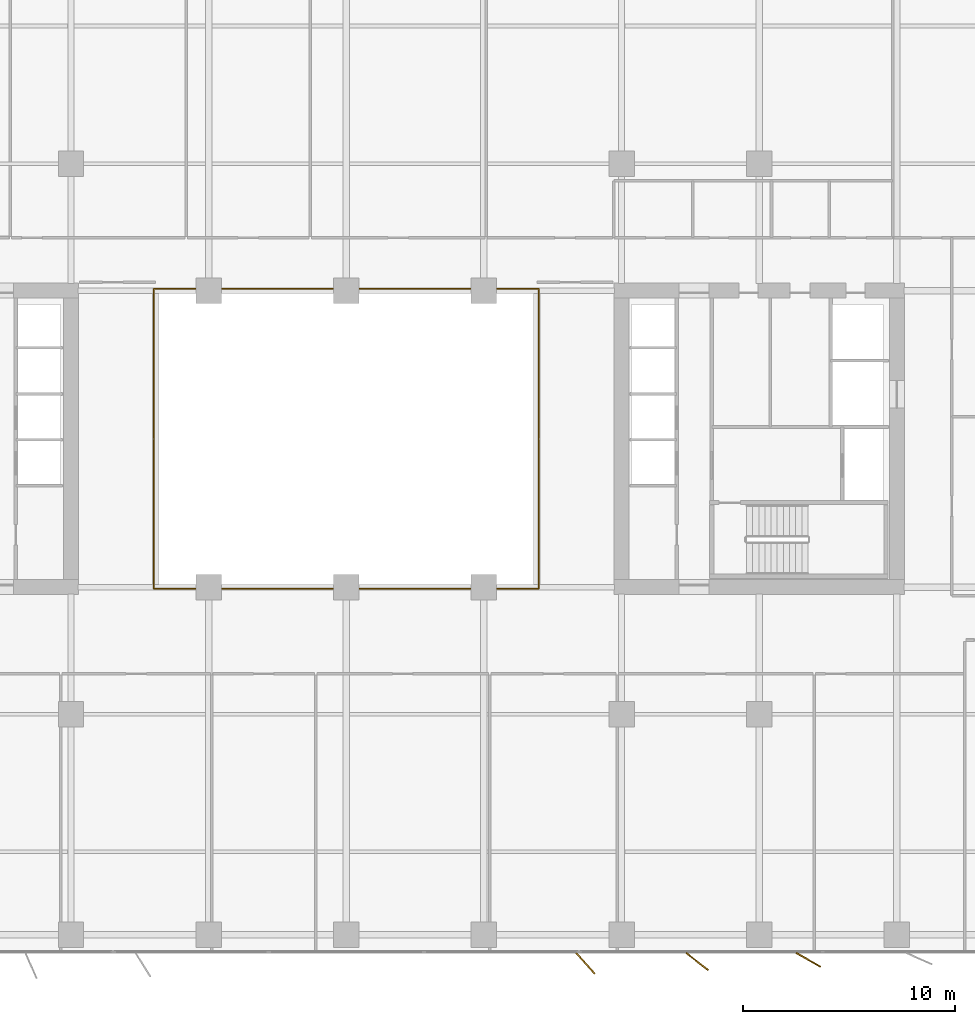
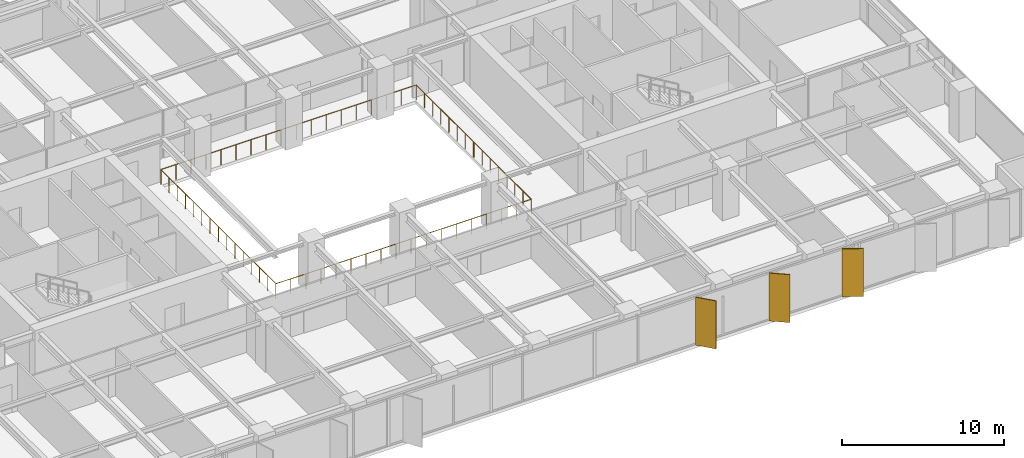
# One storey, part 18 of 20: 3 shading devices, 2 railings.
"""IFC4 building model written with IfcOpenShell, lengths in metres."""

from ifc_helpers import new_model, si_unit, direction, frame, origin, origin_2d, place, context, subcontext, project, spatial, rectangle, circle, extrude, material, layer, layer_set, type_object, element, save


model = new_model("IFC4")

# Units and contexts
model_context = context("Model", 3, precision=1e-05, world=origin(), true_north=direction((0.0, 1.0)))
body_context = subcontext(model_context, "Body", "Model", "MODEL_VIEW")
ifc_project = project(units=[si_unit("LENGTHUNIT", "METRE"), si_unit("AREAUNIT", "SQUARE_METRE"), si_unit("VOLUMEUNIT", "CUBIC_METRE"), si_unit("PLANEANGLEUNIT", "RADIAN"), si_unit("MASSUNIT", "GRAM", prefix="KILO")], contexts=[model_context])

# Site, building, storey
site_placement = place(None, origin())
site = spatial("IfcSite", under=ifc_project, at=site_placement, CompositionType="ELEMENT")
building_placement = place(site_placement, origin())
building = spatial("IfcBuilding", under=site, at=building_placement, Name="Putna Gate Headquarters", CompositionType="ELEMENT")
storey_placement = place(building_placement, frame((0.0, 0.0, 131.60009765625)))
storey = spatial("IfcBuildingStorey", under=building, at=storey_placement, Name="L32", CompositionType="ELEMENT", Elevation=131.60009765625)

# Railings
ifc_material_1 = material(Name="Anodised bronze and laminated glass atrium balustrade", Category="glass")
railing_type = type_object("IfcRailingType", Name="RAIL-ATRIUM-GUARD-1150", PredefinedType="GUARDRAIL", material=ifc_material_1)
railing_1_placement = place(storey_placement, frame((29.919921875, 25.969970703125, 0.0)))
element("IfcRailing", 1, at=railing_1_placement, inside=storey, type_object=railing_type, Name="L32 Central Atrium Glazed Balustrade South", PredefinedType="GUARDRAIL", context=body_context, shape_type="SweptSolid", body=[
    extrude(circle(Radius=0.02392578125, at=origin_2d()), frame((0.0, 0.0, 1.1259765625), z_axis=(0.0, -1.0, 0.0), x_axis=(1.0, 0.0, 0.0)), (0.0, 0.0, 1.0), 7.050048828125),
    extrude(circle(Radius=0.02392578125, at=origin_2d()), frame((0.0, -7.050048828125, 1.1259765625), z_axis=(1.0, 0.0, 0.0), x_axis=(0.0, 1.0, 0.0)), (0.0, 0.0, 1.0), 18.16015625),
    extrude(circle(Radius=0.02392578125, at=origin_2d()), frame((18.16015625, -7.050048828125, 1.1259765625), z_axis=(0.0, 1.0, 0.0), x_axis=(-1.0, 0.0, 0.0)), (0.0, 0.0, 1.0), 7.050048828125),
    extrude(circle(Radius=0.02099609375, at=origin_2d()), origin(), (0.0, 0.0, 1.0), 1.101806640625),
    extrude(circle(Radius=0.02099609375, at=origin_2d()), frame((0.0, -1.007080078125, 0.0)), (0.0, 0.0, 1.0), 1.101806640625),
    extrude(circle(Radius=0.02099609375, at=origin_2d()), frame((0.0, -2.014404296875, 0.0)), (0.0, 0.0, 1.0), 1.101806640625),
    extrude(circle(Radius=0.02099609375, at=origin_2d()), frame((0.0, -3.021484375, 0.0)), (0.0, 0.0, 1.0), 1.101806640625),
    extrude(circle(Radius=0.02099609375, at=origin_2d()), frame((0.0, -4.028564453125, 0.0)), (0.0, 0.0, 1.0), 1.101806640625),
    extrude(circle(Radius=0.02099609375, at=origin_2d()), frame((0.0, -5.03564453125, 0.0)), (0.0, 0.0, 1.0), 1.101806640625),
    extrude(circle(Radius=0.02099609375, at=origin_2d()), frame((0.0, -6.04296875, 0.0)), (0.0, 0.0, 1.0), 1.101806640625),
    extrude(circle(Radius=0.02099609375, at=origin_2d()), frame((0.0, -7.050048828125, 0.0)), (0.0, 0.0, 1.0), 1.101806640625),
    extrude(circle(Radius=0.02099609375, at=origin_2d()), frame((1.068359375, -7.050048828125, 0.0)), (0.0, 0.0, 1.0), 1.101806640625),
    extrude(circle(Radius=0.02099609375, at=origin_2d()), frame((2.136474609375, -7.050048828125, 0.0)), (0.0, 0.0, 1.0), 1.101806640625),
    extrude(circle(Radius=0.02099609375, at=origin_2d()), frame((3.204833984375, -7.050048828125, 0.0)), (0.0, 0.0, 1.0), 1.101806640625),
    extrude(circle(Radius=0.02099609375, at=origin_2d()), frame((4.27294921875, -7.050048828125, 0.0)), (0.0, 0.0, 1.0), 1.101806640625),
    extrude(circle(Radius=0.02099609375, at=origin_2d()), frame((5.34130859375, -7.050048828125, 0.0)), (0.0, 0.0, 1.0), 1.101806640625),
    extrude(circle(Radius=0.02099609375, at=origin_2d()), frame((6.409423828125, -7.050048828125, 0.0)), (0.0, 0.0, 1.0), 1.101806640625),
    extrude(circle(Radius=0.02099609375, at=origin_2d()), frame((7.477783203125, -7.050048828125, 0.0)), (0.0, 0.0, 1.0), 1.101806640625),
    extrude(circle(Radius=0.02099609375, at=origin_2d()), frame((8.5458984375, -7.050048828125, 0.0)), (0.0, 0.0, 1.0), 1.101806640625),
    extrude(circle(Radius=0.02099609375, at=origin_2d()), frame((9.6142578125, -7.050048828125, 0.0)), (0.0, 0.0, 1.0), 1.101806640625),
    extrude(circle(Radius=0.02099609375, at=origin_2d()), frame((10.682373046875, -7.050048828125, 0.0)), (0.0, 0.0, 1.0), 1.101806640625),
    extrude(circle(Radius=0.02099609375, at=origin_2d()), frame((11.750732421875, -7.050048828125, 0.0)), (0.0, 0.0, 1.0), 1.101806640625),
    extrude(circle(Radius=0.02099609375, at=origin_2d()), frame((12.81884765625, -7.050048828125, 0.0)), (0.0, 0.0, 1.0), 1.101806640625),
    extrude(circle(Radius=0.02099609375, at=origin_2d()), frame((13.88720703125, -7.050048828125, 0.0)), (0.0, 0.0, 1.0), 1.101806640625),
    extrude(circle(Radius=0.02099609375, at=origin_2d()), frame((14.955322265625, -7.050048828125, 0.0)), (0.0, 0.0, 1.0), 1.101806640625),
    extrude(circle(Radius=0.02099609375, at=origin_2d()), frame((16.023681640625, -7.050048828125, 0.0)), (0.0, 0.0, 1.0), 1.101806640625),
    extrude(circle(Radius=0.02099609375, at=origin_2d()), frame((17.091796875, -7.050048828125, 0.0)), (0.0, 0.0, 1.0), 1.101806640625),
    extrude(circle(Radius=0.02099609375, at=origin_2d()), frame((18.16015625, -7.050048828125, 0.0)), (0.0, 0.0, 1.0), 1.101806640625),
    extrude(circle(Radius=0.02099609375, at=origin_2d()), frame((18.16015625, -6.04296875, 0.0)), (0.0, 0.0, 1.0), 1.101806640625),
    extrude(circle(Radius=0.02099609375, at=origin_2d()), frame((18.16015625, -5.03564453125, 0.0)), (0.0, 0.0, 1.0), 1.101806640625),
    extrude(circle(Radius=0.02099609375, at=origin_2d()), frame((18.16015625, -4.028564453125, 0.0)), (0.0, 0.0, 1.0), 1.101806640625),
    extrude(circle(Radius=0.02099609375, at=origin_2d()), frame((18.16015625, -3.021484375, 0.0)), (0.0, 0.0, 1.0), 1.101806640625),
    extrude(circle(Radius=0.02099609375, at=origin_2d()), frame((18.16015625, -2.014404296875, 0.0)), (0.0, 0.0, 1.0), 1.101806640625),
    extrude(circle(Radius=0.02099609375, at=origin_2d()), frame((18.16015625, -1.007080078125, 0.0)), (0.0, 0.0, 1.0), 1.101806640625),
    extrude(circle(Radius=0.02099609375, at=origin_2d()), frame((18.16015625, 0.0, 0.0)), (0.0, 0.0, 1.0), 1.101806640625),
])
railing_2_placement = place(storey_placement, frame((48.080078125, 26.030029296875, 0.0)))
element("IfcRailing", 2, at=railing_2_placement, inside=storey, type_object=railing_type, Name="L32 Central Atrium Glazed Balustrade North", PredefinedType="GUARDRAIL", context=body_context, shape_type="SweptSolid", body=[
    extrude(circle(Radius=0.02392578125, at=origin_2d()), frame((0.0, 0.0, 1.1259765625), z_axis=(0.0, 1.0, 0.0), x_axis=(-1.0, 0.0, 0.0)), (0.0, 0.0, 1.0), 7.050048828125),
    extrude(circle(Radius=0.02392578125, at=origin_2d()), frame((0.0, 7.050048828125, 1.1259765625), z_axis=(-1.0, 0.0, 0.0), x_axis=(0.0, -1.0, 0.0)), (0.0, 0.0, 1.0), 18.16015625),
    extrude(circle(Radius=0.02392578125, at=origin_2d()), frame((-18.16015625, 7.050048828125, 1.1259765625), z_axis=(0.0, -1.0, 0.0), x_axis=(1.0, 0.0, 0.0)), (0.0, 0.0, 1.0), 7.050048828125),
    extrude(circle(Radius=0.02099609375, at=origin_2d()), origin(), (0.0, 0.0, 1.0), 1.101806640625),
    extrude(circle(Radius=0.02099609375, at=origin_2d()), frame((0.0, 1.007080078125, 0.0)), (0.0, 0.0, 1.0), 1.101806640625),
    extrude(circle(Radius=0.02099609375, at=origin_2d()), frame((0.0, 2.014404296875, 0.0)), (0.0, 0.0, 1.0), 1.101806640625),
    extrude(circle(Radius=0.02099609375, at=origin_2d()), frame((0.0, 3.021484375, 0.0)), (0.0, 0.0, 1.0), 1.101806640625),
    extrude(circle(Radius=0.02099609375, at=origin_2d()), frame((0.0, 4.028564453125, 0.0)), (0.0, 0.0, 1.0), 1.101806640625),
    extrude(circle(Radius=0.02099609375, at=origin_2d()), frame((0.0, 5.03564453125, 0.0)), (0.0, 0.0, 1.0), 1.101806640625),
    extrude(circle(Radius=0.02099609375, at=origin_2d()), frame((0.0, 6.04296875, 0.0)), (0.0, 0.0, 1.0), 1.101806640625),
    extrude(circle(Radius=0.02099609375, at=origin_2d()), frame((0.0, 7.050048828125, 0.0)), (0.0, 0.0, 1.0), 1.101806640625),
    extrude(circle(Radius=0.02099609375, at=origin_2d()), frame((-1.068359375, 7.050048828125, 0.0)), (0.0, 0.0, 1.0), 1.101806640625),
    extrude(circle(Radius=0.02099609375, at=origin_2d()), frame((-2.136474609375, 7.050048828125, 0.0)), (0.0, 0.0, 1.0), 1.101806640625),
    extrude(circle(Radius=0.02099609375, at=origin_2d()), frame((-3.204833984375, 7.050048828125, 0.0)), (0.0, 0.0, 1.0), 1.101806640625),
    extrude(circle(Radius=0.02099609375, at=origin_2d()), frame((-4.27294921875, 7.050048828125, 0.0)), (0.0, 0.0, 1.0), 1.101806640625),
    extrude(circle(Radius=0.02099609375, at=origin_2d()), frame((-5.34130859375, 7.050048828125, 0.0)), (0.0, 0.0, 1.0), 1.101806640625),
    extrude(circle(Radius=0.02099609375, at=origin_2d()), frame((-6.409423828125, 7.050048828125, 0.0)), (0.0, 0.0, 1.0), 1.101806640625),
    extrude(circle(Radius=0.02099609375, at=origin_2d()), frame((-7.477783203125, 7.050048828125, 0.0)), (0.0, 0.0, 1.0), 1.101806640625),
    extrude(circle(Radius=0.02099609375, at=origin_2d()), frame((-8.5458984375, 7.050048828125, 0.0)), (0.0, 0.0, 1.0), 1.101806640625),
    extrude(circle(Radius=0.02099609375, at=origin_2d()), frame((-9.6142578125, 7.050048828125, 0.0)), (0.0, 0.0, 1.0), 1.101806640625),
    extrude(circle(Radius=0.02099609375, at=origin_2d()), frame((-10.682373046875, 7.050048828125, 0.0)), (0.0, 0.0, 1.0), 1.101806640625),
    extrude(circle(Radius=0.02099609375, at=origin_2d()), frame((-11.750732421875, 7.050048828125, 0.0)), (0.0, 0.0, 1.0), 1.101806640625),
    extrude(circle(Radius=0.02099609375, at=origin_2d()), frame((-12.81884765625, 7.050048828125, 0.0)), (0.0, 0.0, 1.0), 1.101806640625),
    extrude(circle(Radius=0.02099609375, at=origin_2d()), frame((-13.88720703125, 7.050048828125, 0.0)), (0.0, 0.0, 1.0), 1.101806640625),
    extrude(circle(Radius=0.02099609375, at=origin_2d()), frame((-14.955322265625, 7.050048828125, 0.0)), (0.0, 0.0, 1.0), 1.101806640625),
    extrude(circle(Radius=0.02099609375, at=origin_2d()), frame((-16.023681640625, 7.050048828125, 0.0)), (0.0, 0.0, 1.0), 1.101806640625),
    extrude(circle(Radius=0.02099609375, at=origin_2d()), frame((-17.091796875, 7.050048828125, 0.0)), (0.0, 0.0, 1.0), 1.101806640625),
    extrude(circle(Radius=0.02099609375, at=origin_2d()), frame((-18.16015625, 7.050048828125, 0.0)), (0.0, 0.0, 1.0), 1.101806640625),
    extrude(circle(Radius=0.02099609375, at=origin_2d()), frame((-18.16015625, 6.04296875, 0.0)), (0.0, 0.0, 1.0), 1.101806640625),
    extrude(circle(Radius=0.02099609375, at=origin_2d()), frame((-18.16015625, 5.03564453125, 0.0)), (0.0, 0.0, 1.0), 1.101806640625),
    extrude(circle(Radius=0.02099609375, at=origin_2d()), frame((-18.16015625, 4.028564453125, 0.0)), (0.0, 0.0, 1.0), 1.101806640625),
    extrude(circle(Radius=0.02099609375, at=origin_2d()), frame((-18.16015625, 3.021484375, 0.0)), (0.0, 0.0, 1.0), 1.101806640625),
    extrude(circle(Radius=0.02099609375, at=origin_2d()), frame((-18.16015625, 2.014404296875, 0.0)), (0.0, 0.0, 1.0), 1.101806640625),
    extrude(circle(Radius=0.02099609375, at=origin_2d()), frame((-18.16015625, 1.007080078125, 0.0)), (0.0, 0.0, 1.0), 1.101806640625),
    extrude(circle(Radius=0.02099609375, at=origin_2d()), frame((-18.16015625, 0.0, 0.0)), (0.0, 0.0, 1.0), 1.101806640625),
])

# Shading devices
ifc_material_2 = material(Name="Anodised architectural bronze aluminium fin", Category="aluminium")
ifc_layer = layer(ifc_material_2, 0.06494140625)
ifc_layer_set = layer_set([ifc_layer], Name="Anodised architectural bronze aluminium fin")
shading_device_type = type_object("IfcShadingDeviceType", Name="SHADE-BRONZE-FIN-1320", PredefinedType="USERDEFINED", material=ifc_layer_set)
for number, where, z_axis, x_axis, name in (
    (3, (50.29150390625, 1.234619140625, -0.02001953125), (0.0, 0.0, 1.0), (0.669130606359, -0.743144825477, 0.0), "L32 Bronze Vertical Shading Fin S8"),
    (4, (55.569580078125, 1.318115234375, -0.02001953125), (0.0, 0.0, 1.0), (0.787473187632, -0.616348909921, 0.0), "L32 Bronze Vertical Shading Fin S9"),
    (5, (60.82373046875, 1.398681640625, -0.02001953125), (0.0, 0.0, 1.0), (0.869322458298, -0.494245347472, 0.0), "L32 Bronze Vertical Shading Fin S10"),
):
    element("IfcShadingDevice", number, at=place(storey_placement, frame(where, z_axis=z_axis, x_axis=x_axis)), inside=storey, type_object=shading_device_type, Name=name, ObjectType="FIN", PredefinedType="USERDEFINED", context=body_context, shape_type="SweptSolid", body=[
        extrude(rectangle(XDim=1.320068359375, YDim=0.06494140625, at=origin_2d()), origin(), (0.0, 0.0, 1.0), 3.60498046875),
    ])

save(model, "model.ifc")
